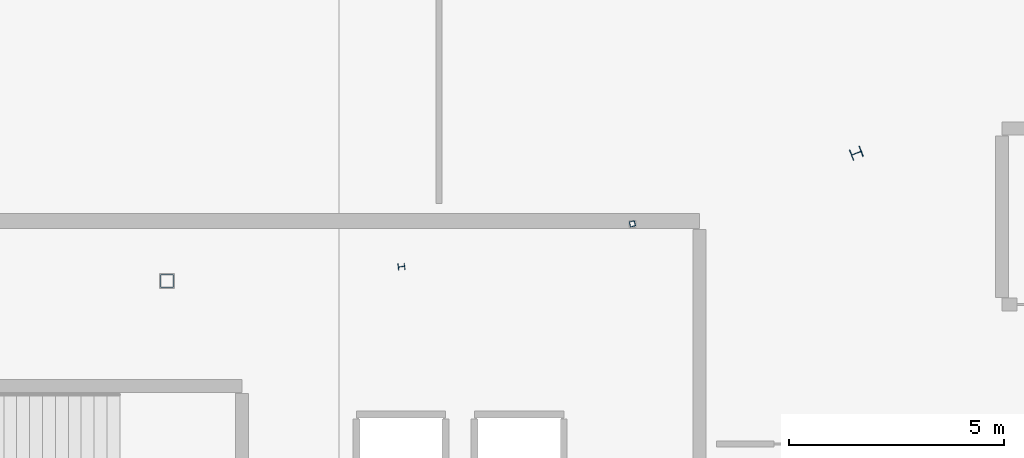
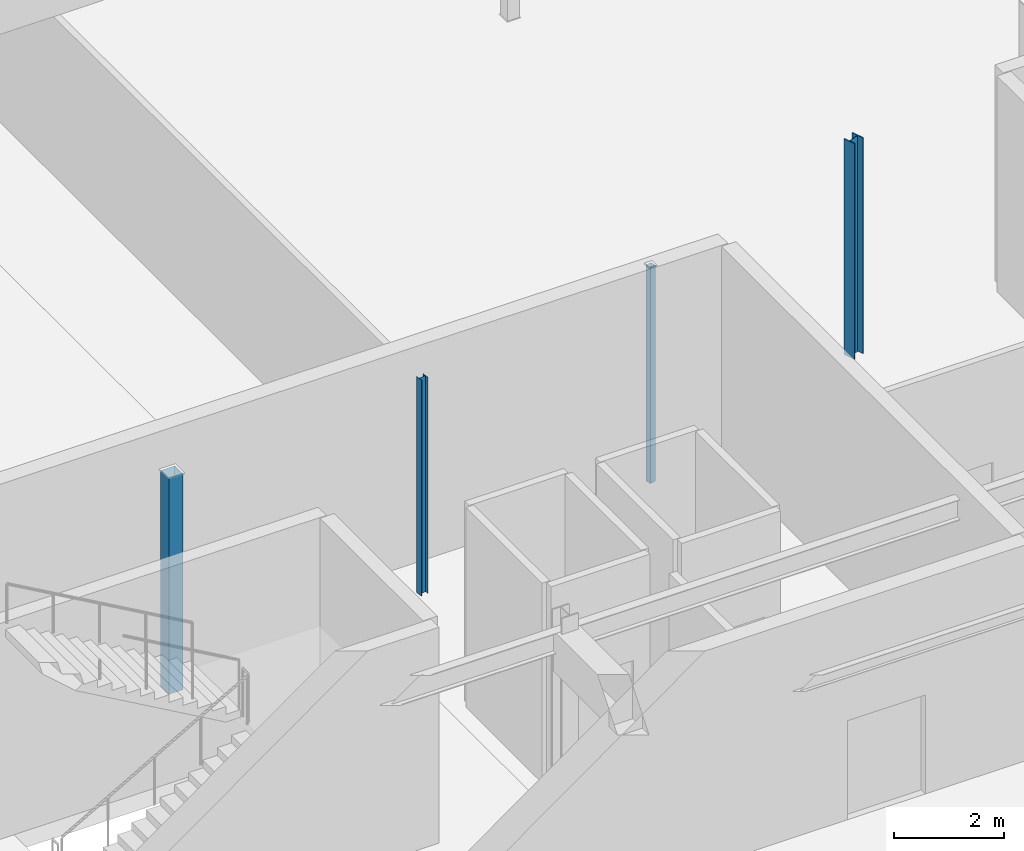
# One storey, part 15 of 199: 4 columns.
"""IFC4 building model written with IfcOpenShell, lengths in metres."""

from ifc_helpers import new_model, si_unit, direction, frame, origin, origin_2d, place, context, subcontext, project, spatial, hollow_rectangle, i_section, extrude, material, material_profile, profile_set, type_object, element, save


model = new_model("IFC4")

# Units and contexts
model_context = context("Model", 3, precision=1e-05, world=origin(), true_north=direction((0.0, 1.0)))
body_context = subcontext(model_context, "Body", "Model", "MODEL_VIEW")
ifc_project = project(units=[si_unit("LENGTHUNIT", "METRE"), si_unit("AREAUNIT", "SQUARE_METRE"), si_unit("VOLUMEUNIT", "CUBIC_METRE"), si_unit("PLANEANGLEUNIT", "RADIAN"), si_unit("MASSUNIT", "GRAM", prefix="KILO")], contexts=[model_context])

# Site, building, storey
site_placement = place(None, origin())
site = spatial("IfcSite", under=ifc_project, at=site_placement, CompositionType="ELEMENT")
building_placement = place(site_placement, origin())
building = spatial("IfcBuilding", under=site, at=building_placement, Name="Tarnwether General Hospital", CompositionType="ELEMENT")
storey_placement = place(building_placement, origin())
storey = spatial("IfcBuildingStorey", under=building, at=storey_placement, Name="L00", CompositionType="ELEMENT", Elevation=0.0)

# Columns
ifc_material_1 = material(Name="Steel Grade 350 (350 MPa)", Category="steel")
ifc_material_profile_1 = material_profile(ifc_material_1, i_section(OverallWidth=0.25390625, OverallDepth=0.25390625, WebThickness=0.008544921875, FlangeThickness=0.01416015625, at=origin_2d()), Name="250UC72.9")
ifc_profile_set_1 = profile_set([ifc_material_profile_1], Name="Steel Grade 350 (350 MPa)")
column_type_1 = type_object("IfcColumnType", Name="COL-24", PredefinedType="COLUMN", material=ifc_profile_set_1)
column_1_placement = place(storey_placement, frame((108.054931640625, 21.176025390625, 0.0), z_axis=(0.0, 0.0, 1.0), x_axis=(-0.358367949545, 0.933580426497, 0.0)))
element("IfcColumn", 1, at=column_1_placement, inside=storey, type_object=column_type_1, Name="Column COLG-L00-10806_2118", PredefinedType="COLUMN", context=body_context, shape_type="SweptSolid", body=[
    extrude(i_section(OverallWidth=0.25390625, OverallDepth=0.25390625, WebThickness=0.008544921875, FlangeThickness=0.01416015625, at=origin_2d()), origin(), (0.0, 0.0, 1.0), 4.800048828125),
])
ifc_material_2 = material(Name="Steel Grade C350L0 (350 MPa)", Category="steel")
ifc_material_profile_2 = material_profile(ifc_material_2, hollow_rectangle(XDim=0.300048828125, YDim=0.300048828125, WallThickness=0.012451171875, at=origin_2d()), Name="SHS300x300x12.5")
ifc_profile_set_2 = profile_set([ifc_material_profile_2], Name="Steel Grade C350L0 (350 MPa)")
column_type_2 = type_object("IfcColumnType", Name="COL-30", PredefinedType="COLUMN", material=ifc_profile_set_2)
column_2_placement = place(storey_placement, frame((92.0, 18.199951171875, 0.0), z_axis=(0.0, 0.0, 1.0), x_axis=(0.0, 1.0, 0.0)))
element("IfcColumn", 2, at=column_2_placement, inside=storey, type_object=column_type_2, Name="Column COLG-L00-9200_1820", PredefinedType="COLUMN", context=body_context, shape_type="SweptSolid", body=[
    extrude(hollow_rectangle(XDim=0.300048828125, YDim=0.300048828125, WallThickness=0.012451171875, at=origin_2d()), origin(), (0.0, 0.0, 1.0), 4.800048828125),
])
ifc_material_3 = material(Name="Steel Grade 350 (350 MPa)", Category="steel")
ifc_material_profile_3 = material_profile(ifc_material_3, i_section(OverallWidth=0.152099609375, OverallDepth=0.152099609375, WebThickness=0.006103515625, FlangeThickness=0.0068359375, at=origin_2d()), Name="150UC23.4")
ifc_profile_set_3 = profile_set([ifc_material_profile_3], Name="Steel Grade 350 (350 MPa)")
column_type_3 = type_object("IfcColumnType", Name="COL-32", PredefinedType="COLUMN", material=ifc_profile_set_3)
column_3_placement = place(storey_placement, frame((97.4599609375, 18.533935546875, 0.0), z_axis=(0.0, 0.0, 1.0), x_axis=(-0.121869343405, 0.992546151641, 0.0)))
element("IfcColumn", 3, at=column_3_placement, inside=storey, type_object=column_type_3, Name="Column COLG-L00-9746_1853", PredefinedType="COLUMN", context=body_context, shape_type="SweptSolid", body=[
    extrude(i_section(OverallWidth=0.152099609375, OverallDepth=0.152099609375, WebThickness=0.006103515625, FlangeThickness=0.0068359375, at=origin_2d()), origin(), (0.0, 0.0, 1.0), 4.800048828125),
])
ifc_material_4 = material(Name="Steel Grade C350L0 (350 MPa)", Category="steel")
ifc_material_profile_4 = material_profile(ifc_material_4, hollow_rectangle(XDim=0.125, YDim=0.125, WallThickness=0.006103515625, at=origin_2d()), Name="SHS125x125x6")
ifc_profile_set_4 = profile_set([ifc_material_profile_4], Name="Steel Grade C350L0 (350 MPa)")
column_type_4 = type_object("IfcColumnType", Name="COL-34", PredefinedType="COLUMN", material=ifc_profile_set_4)
column_4_placement = place(storey_placement, frame((102.837890625, 19.531005859375, 0.0), z_axis=(0.0, 0.0, 1.0), x_axis=(-0.2419218956, 0.970295726276, 0.0)))
element("IfcColumn", 4, at=column_4_placement, inside=storey, type_object=column_type_4, Name="Column COLG-L00-10284_1953", PredefinedType="COLUMN", context=body_context, shape_type="SweptSolid", body=[
    extrude(hollow_rectangle(XDim=0.125, YDim=0.125, WallThickness=0.006103515625, at=origin_2d()), origin(), (0.0, 0.0, 1.0), 4.800048828125),
])

save(model, "model.ifc")
